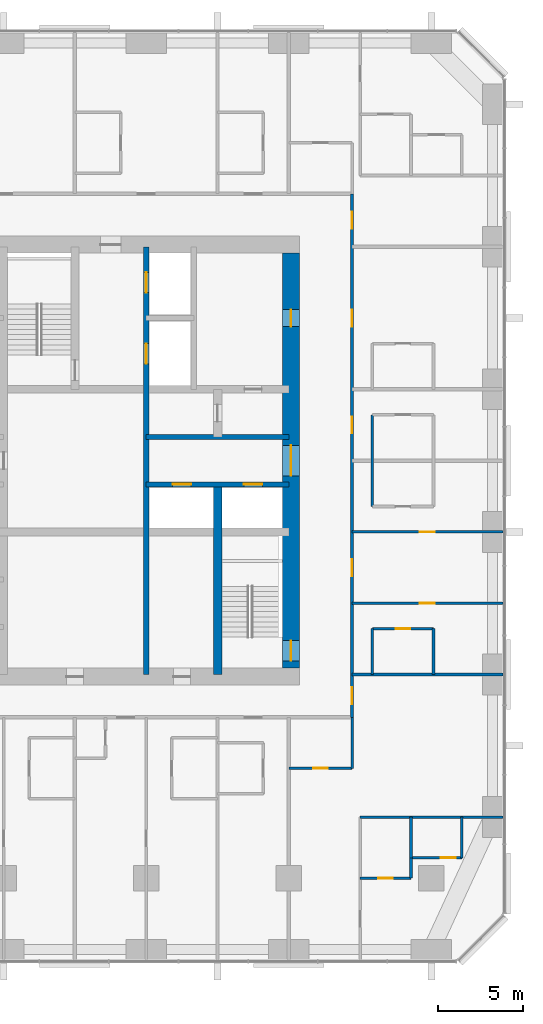
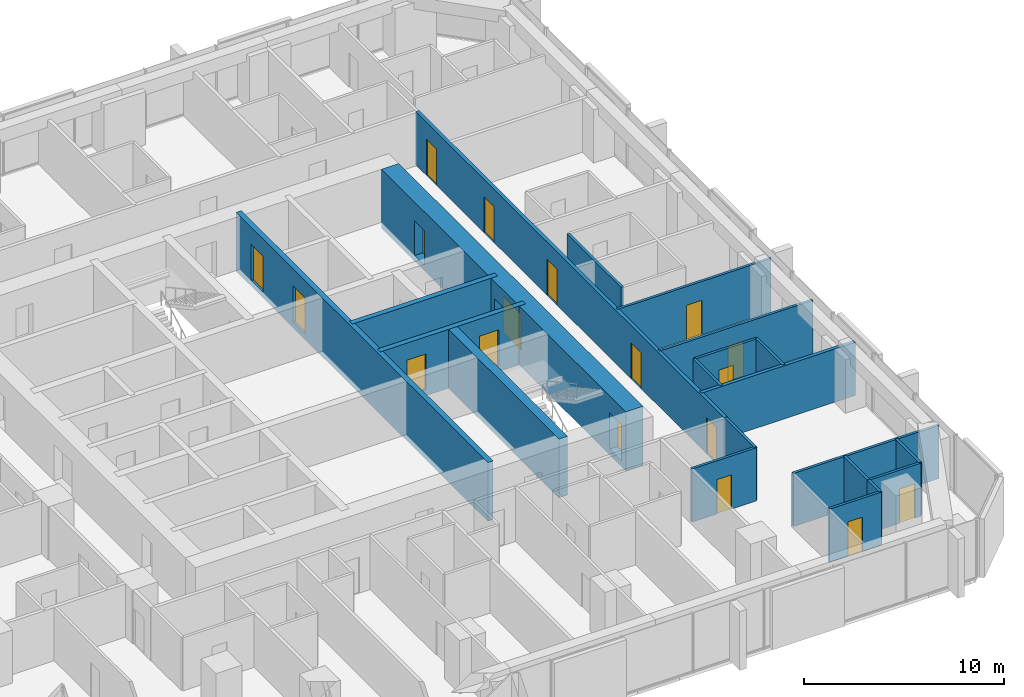
# One storey, part 10 of 14: 21 walls, 18 doors, 18 openings.
"""IFC4 building model written with IfcOpenShell, lengths in metres."""

from ifc_helpers import new_model, si_unit, direction, frame, frame_2d, origin, place, context, subcontext, project, spatial, rectangle, extrude, material, layer, layer_set, type_object, element, fill, save


model = new_model("IFC4")

# Units and contexts
model_context = context("Model", 3, precision=1e-05, world=origin(), true_north=direction((0.0, 1.0)))
body_context = subcontext(model_context, "Body", "Model", "MODEL_VIEW")
ifc_project = project(units=[si_unit("LENGTHUNIT", "METRE"), si_unit("AREAUNIT", "SQUARE_METRE"), si_unit("VOLUMEUNIT", "CUBIC_METRE"), si_unit("PLANEANGLEUNIT", "RADIAN"), si_unit("MASSUNIT", "GRAM", prefix="KILO")], contexts=[model_context])

# Site, building, storey
site_placement = place(None, origin())
site = spatial("IfcSite", under=ifc_project, at=site_placement, CompositionType="ELEMENT")
building_placement = place(site_placement, origin())
building = spatial("IfcBuilding", under=site, at=building_placement, Name="Dunama Terrace Hotel", CompositionType="ELEMENT")
storey_placement = place(building_placement, frame((0.0, 0.0, 136.800048828125)))
storey = spatial("IfcBuildingStorey", under=building, at=storey_placement, Name="L35", CompositionType="ELEMENT", Elevation=136.800048828125)

# Walls
ifc_material_1 = material(Name="Gypsum board partition", Category="masonry")
ifc_layer_1 = layer(ifc_material_1, 0.14990234375)
ifc_layer_set_1 = layer_set([ifc_layer_1], Name="Bathroom partition 150")
wall_type_1 = type_object("IfcWallType", Name="Bathroom partition 150", PredefinedType="PARTITIONING", material=ifc_layer_set_1)
wall_1_placement = place(storey_placement, frame((45.72509765625, 11.27490234375, 0.0), z_axis=(0.0, 0.0, 1.0), x_axis=(0.0, 1.0, 0.0)))
element("IfcWall", 1, at=wall_1_placement, inside=storey, type_object=wall_type_1, Name="Bathroom partition 150 L35", PredefinedType="PARTITIONING", context=body_context, shape_type="SweptSolid", body=[
    extrude(rectangle(XDim=3.0, YDim=0.14990234375, at=frame_2d((1.5, 0.0))), origin(), (0.0, 0.0, 1.0), 3.25),
])
wall_2_placement = place(storey_placement, frame((46.925048828125, 16.800048828125, 0.0), z_axis=(0.0, 0.0, 1.0), x_axis=(0.0, 1.0, 0.0)))
element("IfcWall", 2, at=wall_2_placement, inside=storey, type_object=wall_type_1, Name="Bathroom partition 150 L35", PredefinedType="PARTITIONING", context=body_context, shape_type="SweptSolid", body=[
    extrude(rectangle(XDim=2.699951171875, YDim=0.14990234375, at=frame_2d((1.35009765625, 0.0))), origin(), (0.0, 0.0, 1.0), 3.25),
])
wall_3_placement = place(storey_placement, frame((46.925048828125, 26.699951171875, 0.0), z_axis=(0.0, 0.0, 1.0), x_axis=(0.0, 1.0, 0.0)))
element("IfcWall", 3, at=wall_3_placement, inside=storey, type_object=wall_type_1, Name="Bathroom partition 150 L35", PredefinedType="PARTITIONING", context=body_context, shape_type="SweptSolid", body=[
    extrude(rectangle(XDim=5.400146484375, YDim=0.14990234375, at=frame_2d((2.7001953125, 0.0))), origin(), (0.0, 0.0, 1.0), 3.25),
])
wall_4_placement = place(storey_placement, frame((49.199951171875, 4.800048828125, 0.0), z_axis=(0.0, 0.0, 1.0), x_axis=(0.0, 1.0, 0.0)))
element("IfcWall", 4, at=wall_4_placement, inside=storey, type_object=wall_type_1, Name="Bathroom partition 150 L35", PredefinedType="PARTITIONING", context=body_context, shape_type="SweptSolid", body=[
    extrude(rectangle(XDim=1.199951171875, YDim=0.14990234375, at=frame_2d((0.60009765625, 0.0))), origin(), (0.0, 0.0, 1.0), 3.25),
])
wall_5_placement = place(storey_placement, frame((50.52490234375, 16.800048828125, 0.0), z_axis=(0.0, 0.0, 1.0), x_axis=(0.0, 1.0, 0.0)))
element("IfcWall", 5, at=wall_5_placement, inside=storey, type_object=wall_type_1, Name="Bathroom partition 150 L35", PredefinedType="PARTITIONING", context=body_context, shape_type="SweptSolid", body=[
    extrude(rectangle(XDim=2.699951171875, YDim=0.14990234375, at=frame_2d((1.35009765625, 0.0))), origin(), (0.0, 0.0, 1.0), 3.25),
])

# Wall, opening, door
wall_6_placement = place(storey_placement, frame((46.199951171875, 4.800048828125, 0.0), z_axis=(0.0, 0.0, 1.0), x_axis=(1.0, 0.0, 0.0)))
wall_6 = element("IfcWall", 6, at=wall_6_placement, inside=storey, type_object=wall_type_1, Name="Bathroom partition 150 L35", PredefinedType="PARTITIONING", context=body_context, shape_type="SweptSolid", body=[
    extrude(rectangle(XDim=3.0, YDim=0.14990234375, at=frame_2d((1.5, 0.0))), origin(), (0.0, 0.0, 1.0), 3.25),
])
opening_1_placement = place(wall_6_placement, frame((1.074951171875, 0.0, 0.0)))
opening_1 = element("IfcOpeningElement", 7, at=opening_1_placement, cuts=wall_6, Name="Opening L34-36-058", PredefinedType="OPENING", context=body_context, shape_type="SweptSolid", body=[
    extrude(rectangle(XDim=0.85009765625, YDim=2.10009765625, at=frame_2d((0.425048828125, 1.050048828125))), frame((0.0, 0.0849609375, 0.0), z_axis=(0.0, -1.0, 0.0), x_axis=(1.0, 0.0, 0.0)), (0.0, 0.0, 1.0), 0.169921875),
])
ifc_material_2 = material(Name="Timber door with steel frame", Category="steel")
door_type_1 = type_object("IfcDoorType", Name="Bathroom door 850", OperationType="SINGLE_SWING_LEFT", PredefinedType="DOOR", material=ifc_material_2)
door_1_placement = place(opening_1_placement, origin())
door_1 = element("IfcDoor", 8, at=door_1_placement, inside=storey, type_object=door_type_1, Name="Door to en-suite bathroom L34-36-058, type D2", OperationType="SINGLE_SWING_RIGHT", OverallHeight=2.10009765625, OverallWidth=0.85009765625, PredefinedType="DOOR", context=body_context, shape_type="SweptSolid", body=[
    extrude(rectangle(XDim=0.85009765625, YDim=2.10009765625, at=frame_2d((0.425048828125, 1.050048828125))), frame((0.0, 0.02490234375, 0.0), z_axis=(0.0, -1.0, 0.0), x_axis=(1.0, 0.0, 0.0)), (0.0, 0.0, 1.0), 0.050048828125),
])
fill(opening_1, door_1)

wall_7_placement = place(storey_placement, frame((42.0, 11.27490234375, 0.0), z_axis=(0.0, 0.0, 1.0), x_axis=(1.0, 0.0, 0.0)))
wall_7 = element("IfcWall", 9, at=wall_7_placement, inside=storey, type_object=wall_type_1, Name="Bathroom partition 150 L35", PredefinedType="PARTITIONING", context=body_context, shape_type="SweptSolid", body=[
    extrude(rectangle(XDim=3.72509765625, YDim=0.14990234375, at=frame_2d((1.862548828125, 0.0))), origin(), (0.0, 0.0, 1.0), 3.25),
])
opening_2_placement = place(wall_7_placement, frame((1.43798828125, 0.0, 0.0)))
opening_2 = element("IfcOpeningElement", 10, at=opening_2_placement, cuts=wall_7, Name="Opening L34-36-056", PredefinedType="OPENING", context=body_context, shape_type="SweptSolid", body=[
    extrude(rectangle(XDim=0.85009765625, YDim=2.10009765625, at=frame_2d((0.425048828125, 1.050048828125))), frame((0.0, 0.0849609375, 0.0), z_axis=(0.0, -1.0, 0.0), x_axis=(1.0, 0.0, 0.0)), (0.0, 0.0, 1.0), 0.169921875),
])
door_2_placement = place(opening_2_placement, origin())
door_2 = element("IfcDoor", 11, at=door_2_placement, inside=storey, type_object=door_type_1, Name="Door to powder room L34-36-056, type D2", OperationType="SINGLE_SWING_LEFT", OverallHeight=2.10009765625, OverallWidth=0.85009765625, PredefinedType="DOOR", context=body_context, shape_type="SweptSolid", body=[
    extrude(rectangle(XDim=0.85009765625, YDim=2.10009765625, at=frame_2d((0.425048828125, 1.050048828125))), frame((0.0, 0.02490234375, 0.0), z_axis=(0.0, -1.0, 0.0), x_axis=(1.0, 0.0, 0.0)), (0.0, 0.0, 1.0), 0.050048828125),
])
fill(opening_2, door_2)

wall_8_placement = place(storey_placement, frame((46.925048828125, 19.5, 0.0), z_axis=(0.0, 0.0, 1.0), x_axis=(1.0, 0.0, 0.0)))
wall_8 = element("IfcWall", 12, at=wall_8_placement, inside=storey, type_object=wall_type_1, Name="Bathroom partition 150 L35", PredefinedType="PARTITIONING", context=body_context, shape_type="SweptSolid", body=[
    extrude(rectangle(XDim=3.599853515625, YDim=0.14990234375, at=frame_2d((1.7998046875, 0.0))), origin(), (0.0, 0.0, 1.0), 3.25),
])
opening_3_placement = place(wall_8_placement, frame((1.375, 0.0, 0.0)))
opening_3 = element("IfcOpeningElement", 13, at=opening_3_placement, cuts=wall_8, Name="Opening L34-36-025", PredefinedType="OPENING", context=body_context, shape_type="SweptSolid", body=[
    extrude(rectangle(XDim=0.85009765625, YDim=2.10009765625, at=frame_2d((0.425048828125, 1.050048828125))), frame((0.0, 0.0849609375, 0.0), z_axis=(0.0, -1.0, 0.0), x_axis=(1.0, 0.0, 0.0)), (0.0, 0.0, 1.0), 0.169921875),
])
door_3_placement = place(opening_3_placement, frame((0.85009765625, 0.0, 0.0), z_axis=(0.0, 0.0, 1.0), x_axis=(-1.0, 0.0, 0.0)))
door_3 = element("IfcDoor", 14, at=door_3_placement, inside=storey, type_object=door_type_1, Name="Door to en-suite bathroom L34-36-025, type D2", OperationType="SINGLE_SWING_RIGHT", OverallHeight=2.10009765625, OverallWidth=0.85009765625, PredefinedType="DOOR", context=body_context, shape_type="SweptSolid", body=[
    extrude(rectangle(XDim=0.85009765625, YDim=2.10009765625, at=frame_2d((0.425048828125, 1.050048828125))), frame((0.0, 0.025146484375, 0.0), z_axis=(0.0, -1.0, 0.0), x_axis=(1.0, 0.0, 0.0)), (0.0, 0.0, 1.0), 0.050048828125),
])
fill(opening_3, door_3)

# Wall, openings, doors
ifc_material_3 = material(Name="Concrete C50/60", Category="concrete")
ifc_layer_2 = layer(ifc_material_3, 0.300048828125)
ifc_layer_set_2 = layer_set([ifc_layer_2], Name="Core inner wall 300")
wall_type_2 = type_object("IfcWallType", Name="Core inner wall 300", PredefinedType="SHEAR", material=ifc_layer_set_2)
wall_9_placement = place(storey_placement, frame((33.60009765625, 16.800048828125, -0.35009765625), z_axis=(0.0, 0.0, 1.0), x_axis=(0.0, 1.0, 0.0)))
wall_9 = element("IfcWall", 15, at=wall_9_placement, inside=storey, type_object=wall_type_2, Name="Core inner wall 300 L35", PredefinedType="SHEAR", context=body_context, shape_type="SweptSolid", body=[
    extrude(rectangle(XDim=25.199951171875, YDim=0.300048828125, at=frame_2d((12.60009765625, 0.0))), origin(), (0.0, 0.0, 1.0), 3.60009765625),
])
opening_4_placement = place(wall_9_placement, frame((22.5, 0.0, 0.35009765625)))
opening_4 = element("IfcOpeningElement", 16, at=opening_4_placement, cuts=wall_9, Name="Opening L34-36-009", PredefinedType="OPENING", context=body_context, shape_type="SweptSolid", body=[
    extrude(rectangle(XDim=1.199951171875, YDim=2.199951171875, at=frame_2d((0.60009765625, 1.10009765625))), frame((0.0, 0.159912109375, 0.0), z_axis=(0.0, -1.0, 0.0), x_axis=(1.0, 0.0, 0.0)), (0.0, 0.0, 1.0), 0.320068359375),
])
opening_5_placement = place(wall_9_placement, frame((18.300048828125, 0.0, 0.35009765625)))
opening_5 = element("IfcOpeningElement", 17, at=opening_5_placement, cuts=wall_9, Name="Opening L34-36-010", PredefinedType="OPENING", context=body_context, shape_type="SweptSolid", body=[
    extrude(rectangle(XDim=1.199951171875, YDim=2.199951171875, at=frame_2d((0.60009765625, 1.10009765625))), frame((0.0, 0.159912109375, 0.0), z_axis=(0.0, -1.0, 0.0), x_axis=(1.0, 0.0, 0.0)), (0.0, 0.0, 1.0), 0.320068359375),
])
ifc_material_4 = material(Name="Stainless steel lift door", Category="steel")
door_type_2 = type_object("IfcDoorType", Name="Firefighting lift landing door 1200", OperationType="DOUBLE_DOOR_SLIDING", PredefinedType="DOOR", material=ifc_material_4)
door_4_placement = place(opening_4_placement, origin())
door_4 = element("IfcDoor", 18, at=door_4_placement, inside=storey, type_object=door_type_2, Name="Landing door FL1 L34-36-009, type LD2", OperationType="DOUBLE_DOOR_SLIDING", OverallHeight=2.199951171875, OverallWidth=1.199951171875, PredefinedType="DOOR", context=body_context, shape_type="SweptSolid", body=[
    extrude(rectangle(XDim=1.199951171875, YDim=2.199951171875, at=frame_2d((0.60009765625, 1.10009765625))), frame((0.0, 0.02490234375, 0.0), z_axis=(0.0, -1.0, 0.0), x_axis=(1.0, 0.0, 0.0)), (0.0, 0.0, 1.0), 0.050048828125),
])
fill(opening_4, door_4)
door_5_placement = place(opening_5_placement, origin())
door_5 = element("IfcDoor", 19, at=door_5_placement, inside=storey, type_object=door_type_2, Name="Landing door FL2 L34-36-010, type LD2", OperationType="DOUBLE_DOOR_SLIDING", OverallHeight=2.199951171875, OverallWidth=1.199951171875, PredefinedType="DOOR", context=body_context, shape_type="SweptSolid", body=[
    extrude(rectangle(XDim=1.199951171875, YDim=2.199951171875, at=frame_2d((0.60009765625, 1.10009765625))), frame((0.0, 0.02490234375, 0.0), z_axis=(0.0, -1.0, 0.0), x_axis=(1.0, 0.0, 0.0)), (0.0, 0.0, 1.0), 0.050048828125),
])
fill(opening_5, door_5)

wall_10_placement = place(storey_placement, frame((33.60009765625, 28.0, -0.35009765625), z_axis=(0.0, 0.0, 1.0), x_axis=(1.0, 0.0, 0.0)))
wall_10 = element("IfcWall", 20, at=wall_10_placement, inside=storey, type_object=wall_type_2, Name="Core inner wall 300 L35", PredefinedType="SHEAR", context=body_context, shape_type="SweptSolid", body=[
    extrude(rectangle(XDim=8.39990234375, YDim=0.300048828125, at=frame_2d((4.199951171875, 0.0))), origin(), (0.0, 0.0, 1.0), 3.60009765625),
])
opening_6_placement = place(wall_10_placement, frame((1.550048828125, 0.0, 0.35009765625)))
opening_6 = element("IfcOpeningElement", 21, at=opening_6_placement, cuts=wall_10, Name="Opening L34-36-003", PredefinedType="OPENING", context=body_context, shape_type="SweptSolid", body=[
    extrude(rectangle(XDim=1.10009765625, YDim=2.199951171875, at=frame_2d((0.550048828125, 1.10009765625))), frame((0.0, 0.159912109375, 0.0), z_axis=(0.0, -1.0, 0.0), x_axis=(1.0, 0.0, 0.0)), (0.0, 0.0, 1.0), 0.320068359375),
])
opening_7_placement = place(wall_10_placement, frame((5.75, 0.0, 0.35009765625)))
opening_7 = element("IfcOpeningElement", 22, at=opening_7_placement, cuts=wall_10, Name="Opening L34-36-004", PredefinedType="OPENING", context=body_context, shape_type="SweptSolid", body=[
    extrude(rectangle(XDim=1.10009765625, YDim=2.199951171875, at=frame_2d((0.550048828125, 1.10009765625))), frame((0.0, 0.159912109375, 0.0), z_axis=(0.0, -1.0, 0.0), x_axis=(1.0, 0.0, 0.0)), (0.0, 0.0, 1.0), 0.320068359375),
])
ifc_material_5 = material(Name="Stainless steel lift door", Category="steel")
door_type_3 = type_object("IfcDoorType", Name="Lift landing door 1100", OperationType="DOUBLE_DOOR_SLIDING", PredefinedType="DOOR", material=ifc_material_5)
door_6_placement = place(opening_6_placement, origin())
door_6 = element("IfcDoor", 23, at=door_6_placement, inside=storey, type_object=door_type_3, Name="Landing door PB1 L34-36-003, type LD1", OperationType="DOUBLE_DOOR_SLIDING", OverallHeight=2.199951171875, OverallWidth=1.10009765625, PredefinedType="DOOR", context=body_context, shape_type="SweptSolid", body=[
    extrude(rectangle(XDim=1.10009765625, YDim=2.199951171875, at=frame_2d((0.550048828125, 1.10009765625))), frame((0.0, 0.02490234375, 0.0), z_axis=(0.0, -1.0, 0.0), x_axis=(1.0, 0.0, 0.0)), (0.0, 0.0, 1.0), 0.050048828125),
])
fill(opening_6, door_6)
door_7_placement = place(opening_7_placement, origin())
door_7 = element("IfcDoor", 24, at=door_7_placement, inside=storey, type_object=door_type_3, Name="Landing door PB2 L34-36-004, type LD1", OperationType="DOUBLE_DOOR_SLIDING", OverallHeight=2.199951171875, OverallWidth=1.10009765625, PredefinedType="DOOR", context=body_context, shape_type="SweptSolid", body=[
    extrude(rectangle(XDim=1.10009765625, YDim=2.199951171875, at=frame_2d((0.550048828125, 1.10009765625))), frame((0.0, 0.02490234375, 0.0), z_axis=(0.0, -1.0, 0.0), x_axis=(1.0, 0.0, 0.0)), (0.0, 0.0, 1.0), 0.050048828125),
])
fill(opening_7, door_7)

# Walls
wall_11_placement = place(storey_placement, frame((33.60009765625, 30.800048828125, -0.35009765625), z_axis=(0.0, 0.0, 1.0), x_axis=(1.0, 0.0, 0.0)))
element("IfcWall", 25, at=wall_11_placement, inside=storey, type_object=wall_type_2, Name="Core inner wall 300 L35", PredefinedType="SHEAR", context=body_context, shape_type="SweptSolid", body=[
    extrude(rectangle(XDim=8.39990234375, YDim=0.300048828125, at=frame_2d((4.199951171875, 0.0))), origin(), (0.0, 0.0, 1.0), 3.60009765625),
])
ifc_material_6 = material(Name="Concrete C50/60", Category="concrete")
ifc_layer_3 = layer(ifc_material_6, 0.5)
ifc_layer_set_3 = layer_set([ifc_layer_3], Name="Core inner wall 500")
wall_type_3 = type_object("IfcWallType", Name="Core inner wall 500", PredefinedType="SHEAR", material=ifc_layer_set_3)
wall_12_placement = place(storey_placement, frame((37.800048828125, 16.800048828125, -0.35009765625), z_axis=(0.0, 0.0, 1.0), x_axis=(0.0, 1.0, 0.0)))
element("IfcWall", 26, at=wall_12_placement, inside=storey, type_object=wall_type_3, Name="Core inner wall 500 L35", PredefinedType="SHEAR", context=body_context, shape_type="SweptSolid", body=[
    extrude(rectangle(XDim=11.199951171875, YDim=0.5, at=frame_2d((5.60009765625, 0.0))), origin(), (0.0, 0.0, 1.0), 3.60009765625),
])

# Wall, openings, doors
ifc_material_7 = material(Name="Concrete C60/75", Category="concrete")
ifc_layer_4 = layer(ifc_material_7, 1.0)
ifc_layer_set_4 = layer_set([ifc_layer_4], Name="Core wall 1000")
wall_type_4 = type_object("IfcWallType", Name="Core wall 1000", PredefinedType="SHEAR", material=ifc_layer_set_4)
wall_13_placement = place(storey_placement, frame((42.125, 17.175048828125, -0.35009765625), z_axis=(0.0, 0.0, 1.0), x_axis=(0.0, 1.0, 0.0)))
wall_13 = element("IfcWall", 27, at=wall_13_placement, inside=storey, type_object=wall_type_4, Name="Core wall east L35", PredefinedType="SHEAR", context=body_context, shape_type="SweptSolid", body=[
    extrude(rectangle(XDim=24.449951171875, YDim=1.0, at=frame_2d((12.22509765625, 0.0))), origin(), (0.0, 0.0, 1.0), 3.60009765625),
])
opening_8_placement = place(wall_13_placement, frame((0.425048828125, 0.0, 0.35009765625)))
opening_8 = element("IfcOpeningElement", 28, at=opening_8_placement, cuts=wall_13, Name="Opening L34-36-002", PredefinedType="OPENING", context=body_context, shape_type="SweptSolid", body=[
    extrude(rectangle(XDim=1.199951171875, YDim=2.199951171875, at=frame_2d((0.60009765625, 1.10009765625))), frame((0.0, 0.510009765625, 0.0), z_axis=(0.0, -1.0, 0.0), x_axis=(1.0, 0.0, 0.0)), (0.0, 0.0, 1.0), 1.02001953125),
])
opening_9_placement = place(wall_13_placement, frame((11.324951171875, 0.0, 0.35009765625)))
opening_9 = element("IfcOpeningElement", 29, at=opening_9_placement, cuts=wall_13, Name="Opening L34-36-077", PredefinedType="OPENING", context=body_context, shape_type="SweptSolid", body=[
    extrude(rectangle(XDim=1.800048828125, YDim=2.199951171875, at=frame_2d((0.89990234375, 1.10009765625))), frame((0.0, 0.510009765625, 0.0), z_axis=(0.0, -1.0, 0.0), x_axis=(1.0, 0.0, 0.0)), (0.0, 0.0, 1.0), 1.02001953125),
])
opening_10_placement = place(wall_13_placement, frame((20.125, 0.0, 0.35009765625)))
opening_10 = element("IfcOpeningElement", 30, at=opening_10_placement, cuts=wall_13, Name="Opening L34-36-079", PredefinedType="OPENING", context=body_context, shape_type="SweptSolid", body=[
    extrude(rectangle(XDim=1.0, YDim=2.10009765625, at=frame_2d((0.5, 1.050048828125))), frame((0.0, 0.510009765625, 0.0), z_axis=(0.0, -1.0, 0.0), x_axis=(1.0, 0.0, 0.0)), (0.0, 0.0, 1.0), 1.02001953125),
])
ifc_material_8 = material(Name="Timber door with steel frame", Category="steel")
door_type_4 = type_object("IfcDoorType", Name="Lift lobby double door 1800", OperationType="DOUBLE_DOOR_DOUBLE_SWING", PredefinedType="DOOR", material=ifc_material_8)
door_8_placement = place(opening_9_placement, origin())
door_8 = element("IfcDoor", 31, at=door_8_placement, inside=storey, type_object=door_type_4, Name="Door to lift lobby L34-36-077, type D3", OperationType="DOUBLE_DOOR_DOUBLE_SWING", OverallHeight=2.199951171875, OverallWidth=1.800048828125, PredefinedType="DOOR", context=body_context, shape_type="SweptSolid", body=[
    extrude(rectangle(XDim=1.800048828125, YDim=2.199951171875, at=frame_2d((0.89990234375, 1.10009765625))), frame((0.0, 0.02490234375, 0.0), z_axis=(0.0, -1.0, 0.0), x_axis=(1.0, 0.0, 0.0)), (0.0, 0.0, 1.0), 0.050048828125),
])
fill(opening_9, door_8)
ifc_material_9 = material(Name="Timber door with steel frame", Category="steel")
door_type_5 = type_object("IfcDoorType", Name="Service door 1000", OperationType="SINGLE_SWING_LEFT", PredefinedType="DOOR", material=ifc_material_9)
door_9_placement = place(opening_10_placement, origin())
door_9 = element("IfcDoor", 32, at=door_9_placement, inside=storey, type_object=door_type_5, Name="Door to ice and vending room L34-36-079, type D7", OperationType="SINGLE_SWING_RIGHT", OverallHeight=2.10009765625, OverallWidth=1.0, PredefinedType="DOOR", context=body_context, shape_type="SweptSolid", body=[
    extrude(rectangle(XDim=1.0, YDim=2.10009765625, at=frame_2d((0.5, 1.050048828125))), frame((0.0, 0.02490234375, 0.0), z_axis=(0.0, -1.0, 0.0), x_axis=(1.0, 0.0, 0.0)), (0.0, 0.0, 1.0), 0.050048828125),
])
fill(opening_10, door_9)
ifc_material_10 = material(Name="Timber door with steel frame", Category="steel")
door_type_6 = type_object("IfcDoorType", Name="Stair door 1200", OperationType="SINGLE_SWING_LEFT", PredefinedType="DOOR", material=ifc_material_10)
door_10_placement = place(opening_8_placement, origin())
door_10 = element("IfcDoor", 33, at=door_10_placement, inside=storey, type_object=door_type_6, Name="Stair door ST2 L34-36-002, type D5", OperationType="SINGLE_SWING_LEFT", OverallHeight=2.199951171875, OverallWidth=1.199951171875, PredefinedType="DOOR", context=body_context, shape_type="SweptSolid", body=[
    extrude(rectangle(XDim=1.199951171875, YDim=2.199951171875, at=frame_2d((0.60009765625, 1.10009765625))), frame((0.0, 0.02490234375, 0.0), z_axis=(0.0, -1.0, 0.0), x_axis=(1.0, 0.0, 0.0)), (0.0, 0.0, 1.0), 0.050048828125),
])
fill(opening_8, door_10)

ifc_material_11 = material(Name="Concrete blockwork", Category="masonry")
ifc_layer_5 = layer(ifc_material_11, 0.199951171875)
ifc_layer_set_5 = layer_set([ifc_layer_5], Name="Corridor partition 200")
wall_type_5 = type_object("IfcWallType", Name="Corridor partition 200", PredefinedType="PARTITIONING", material=ifc_layer_set_5)
wall_14_placement = place(storey_placement, frame((45.72509765625, 45.125, 0.0), z_axis=(0.0, 0.0, 1.0), x_axis=(0.0, -1.0, 0.0)))
wall_14 = element("IfcWall", 34, at=wall_14_placement, inside=storey, type_object=wall_type_5, Name="Corridor partition 200 L35", PredefinedType="PARTITIONING", context=body_context, shape_type="SweptSolid", body=[
    extrude(rectangle(XDim=30.85009765625, YDim=0.199951171875, at=frame_2d((15.425048828125, 0.0))), origin(), (0.0, 0.0, 1.0), 3.25),
])
opening_11_placement = place(wall_14_placement, frame((21.52490234375, 0.0, 0.0)))
opening_11 = element("IfcOpeningElement", 35, at=opening_11_placement, cuts=wall_14, Name="Opening L34-36-023", PredefinedType="OPENING", context=body_context, shape_type="SweptSolid", body=[
    extrude(rectangle(XDim=1.0, YDim=2.199951171875, at=frame_2d((0.5, 1.10009765625))), frame((0.0, 0.10986328125, 0.0), z_axis=(0.0, -1.0, 0.0), x_axis=(1.0, 0.0, 0.0)), (0.0, 0.0, 1.0), 0.219970703125),
])
opening_12_placement = place(wall_14_placement, frame((13.125, 0.0, 0.0)))
opening_12 = element("IfcOpeningElement", 36, at=opening_12_placement, cuts=wall_14, Name="Opening L34-36-028", PredefinedType="OPENING", context=body_context, shape_type="SweptSolid", body=[
    extrude(rectangle(XDim=1.0, YDim=2.199951171875, at=frame_2d((0.5, 1.10009765625))), frame((0.0, 0.10986328125, 0.0), z_axis=(0.0, -1.0, 0.0), x_axis=(1.0, 0.0, 0.0)), (0.0, 0.0, 1.0), 0.219970703125),
])
opening_13_placement = place(wall_14_placement, frame((6.824951171875, 0.0, 0.0)))
opening_13 = element("IfcOpeningElement", 37, at=opening_13_placement, cuts=wall_14, Name="Opening L34-36-030", PredefinedType="OPENING", context=body_context, shape_type="SweptSolid", body=[
    extrude(rectangle(XDim=1.0, YDim=2.199951171875, at=frame_2d((0.5, 1.10009765625))), frame((0.0, 0.10986328125, 0.0), z_axis=(0.0, -1.0, 0.0), x_axis=(1.0, 0.0, 0.0)), (0.0, 0.0, 1.0), 0.219970703125),
])
opening_14_placement = place(wall_14_placement, frame((29.0869140625, 0.0, 0.0)))
opening_14 = element("IfcOpeningElement", 38, at=opening_14_placement, cuts=wall_14, Name="Opening L34-36-055", PredefinedType="OPENING", context=body_context, shape_type="SweptSolid", body=[
    extrude(rectangle(XDim=1.0, YDim=2.199951171875, at=frame_2d((0.5, 1.10009765625))), frame((0.0, 0.10986328125, 0.0), z_axis=(0.0, -1.0, 0.0), x_axis=(1.0, 0.0, 0.0)), (0.0, 0.0, 1.0), 0.219970703125),
])
opening_15_placement = place(wall_14_placement, frame((1.06298828125, 0.0, 0.0)))
opening_15 = element("IfcOpeningElement", 39, at=opening_15_placement, cuts=wall_14, Name="Opening L34-36-060", PredefinedType="OPENING", context=body_context, shape_type="SweptSolid", body=[
    extrude(rectangle(XDim=1.0, YDim=2.199951171875, at=frame_2d((0.5, 1.10009765625))), frame((0.0, 0.10986328125, 0.0), z_axis=(0.0, -1.0, 0.0), x_axis=(1.0, 0.0, 0.0)), (0.0, 0.0, 1.0), 0.219970703125),
])
ifc_material_12 = material(Name="Timber door with steel frame", Category="steel")
door_type_7 = type_object("IfcDoorType", Name="Guest room door 1000", OperationType="SINGLE_SWING_LEFT", PredefinedType="DOOR", material=ifc_material_12)
door_11_placement = place(opening_11_placement, origin())
door_11 = element("IfcDoor", 40, at=door_11_placement, inside=storey, type_object=door_type_7, Name="Door to family suite living room L34-36-023, type D1", OperationType="SINGLE_SWING_LEFT", OverallHeight=2.199951171875, OverallWidth=1.0, PredefinedType="DOOR", context=body_context, shape_type="SweptSolid", body=[
    extrude(rectangle(XDim=1.0, YDim=2.199951171875, at=frame_2d((0.5, 1.10009765625))), frame((0.0, 0.02490234375, 0.0), z_axis=(0.0, -1.0, 0.0), x_axis=(1.0, 0.0, 0.0)), (0.0, 0.0, 1.0), 0.050048828125),
])
fill(opening_11, door_11)
door_12_placement = place(opening_12_placement, origin())
door_12 = element("IfcDoor", 41, at=door_12_placement, inside=storey, type_object=door_type_7, Name="Door to premier room L34-36-028, type D1", OperationType="SINGLE_SWING_LEFT", OverallHeight=2.199951171875, OverallWidth=1.0, PredefinedType="DOOR", context=body_context, shape_type="SweptSolid", body=[
    extrude(rectangle(XDim=1.0, YDim=2.199951171875, at=frame_2d((0.5, 1.10009765625))), frame((0.0, 0.02490234375, 0.0), z_axis=(0.0, -1.0, 0.0), x_axis=(1.0, 0.0, 0.0)), (0.0, 0.0, 1.0), 0.050048828125),
])
fill(opening_12, door_12)
door_13_placement = place(opening_13_placement, origin())
door_13 = element("IfcDoor", 42, at=door_13_placement, inside=storey, type_object=door_type_7, Name="Door to junior suite L34-36-030, type D1", OperationType="SINGLE_SWING_RIGHT", OverallHeight=2.199951171875, OverallWidth=1.0, PredefinedType="DOOR", context=body_context, shape_type="SweptSolid", body=[
    extrude(rectangle(XDim=1.0, YDim=2.199951171875, at=frame_2d((0.5, 1.10009765625))), frame((0.0, 0.02490234375, 0.0), z_axis=(0.0, -1.0, 0.0), x_axis=(1.0, 0.0, 0.0)), (0.0, 0.0, 1.0), 0.050048828125),
])
fill(opening_13, door_13)
door_14_placement = place(opening_14_placement, origin())
door_14 = element("IfcDoor", 43, at=door_14_placement, inside=storey, type_object=door_type_7, Name="Door to corner suite living room L34-36-055, type D1", OperationType="SINGLE_SWING_LEFT", OverallHeight=2.199951171875, OverallWidth=1.0, PredefinedType="DOOR", context=body_context, shape_type="SweptSolid", body=[
    extrude(rectangle(XDim=1.0, YDim=2.199951171875, at=frame_2d((0.5, 1.10009765625))), frame((0.0, 0.02490234375, 0.0), z_axis=(0.0, -1.0, 0.0), x_axis=(1.0, 0.0, 0.0)), (0.0, 0.0, 1.0), 0.050048828125),
])
fill(opening_14, door_14)
door_15_placement = place(opening_15_placement, origin())
door_15 = element("IfcDoor", 44, at=door_15_placement, inside=storey, type_object=door_type_7, Name="Door to corner suite living room L34-36-060, type D1", OperationType="SINGLE_SWING_RIGHT", OverallHeight=2.199951171875, OverallWidth=1.0, PredefinedType="DOOR", context=body_context, shape_type="SweptSolid", body=[
    extrude(rectangle(XDim=1.0, YDim=2.199951171875, at=frame_2d((0.5, 1.10009765625))), frame((0.0, 0.02490234375, 0.0), z_axis=(0.0, -1.0, 0.0), x_axis=(1.0, 0.0, 0.0)), (0.0, 0.0, 1.0), 0.050048828125),
])
fill(opening_15, door_15)

# Walls
ifc_material_13 = material(Name="Concrete blockwork", Category="masonry")
ifc_layer_6 = layer(ifc_material_13, 0.199951171875)
ifc_layer_set_6 = layer_set([ifc_layer_6], Name="Party wall 200")
wall_type_6 = type_object("IfcWallType", Name="Party wall 200", PredefinedType="PARTITIONING", material=ifc_layer_set_6)
wall_15_placement = place(storey_placement, frame((45.72509765625, 16.800048828125, 0.0), z_axis=(0.0, 0.0, 1.0), x_axis=(1.0, 0.0, 0.0)))
element("IfcWall", 45, at=wall_15_placement, inside=storey, type_object=wall_type_6, Name="Party wall 200 L35", PredefinedType="PARTITIONING", context=body_context, shape_type="SweptSolid", body=[
    extrude(rectangle(XDim=8.892822265625, YDim=0.199951171875, at=frame_2d((4.4462890625, 0.0))), origin(), (0.0, 0.0, 1.0), 3.25),
])
ifc_material_14 = material(Name="Gypsum board partition", Category="masonry")
ifc_layer_7 = layer(ifc_material_14, 0.14990234375)
ifc_layer_set_7 = layer_set([ifc_layer_7], Name="Room partition 150")
wall_type_7 = type_object("IfcWallType", Name="Room partition 150", PredefinedType="PARTITIONING", material=ifc_layer_set_7)
for number, where, z_axis, x_axis, name in (
    (46, (49.199951171875, 6.0, 0.0), (0.0, 0.0, 1.0), (0.0, 1.0, 0.0), "Room partition 150 L35"),
    (47, (52.199951171875, 6.0, 0.0), (0.0, 0.0, 1.0), (0.0, 1.0, 0.0), "Room partition 150 L35"),
):
    element("IfcWall", number, at=place(storey_placement, frame(where, z_axis=z_axis, x_axis=x_axis)), inside=storey, type_object=wall_type_7, Name=name, PredefinedType="PARTITIONING", context=body_context, shape_type="SweptSolid", body=[
        extrude(rectangle(XDim=2.39990234375, YDim=0.14990234375, at=frame_2d((1.199951171875, 0.0))), origin(), (0.0, 0.0, 1.0), 3.25),
    ])

# Wall, opening, door
wall_16_placement = place(storey_placement, frame((49.199951171875, 6.0, 0.0), z_axis=(0.0, 0.0, 1.0), x_axis=(1.0, 0.0, 0.0)))
wall_16 = element("IfcWall", 48, at=wall_16_placement, inside=storey, type_object=wall_type_7, Name="Room partition 150 L35", PredefinedType="PARTITIONING", context=body_context, shape_type="SweptSolid", body=[
    extrude(rectangle(XDim=3.0, YDim=0.14990234375, at=frame_2d((1.5, 0.0))), origin(), (0.0, 0.0, 1.0), 3.25),
])
opening_16_placement = place(wall_16_placement, frame((1.75, 0.0, 0.0)))
opening_16 = element("IfcOpeningElement", 49, at=opening_16_placement, cuts=wall_16, Name="Opening L34-36-059", PredefinedType="OPENING", context=body_context, shape_type="SweptSolid", body=[
    extrude(rectangle(XDim=0.89990234375, YDim=2.10009765625, at=frame_2d((0.449951171875, 1.050048828125))), frame((0.0, 0.0849609375, 0.0), z_axis=(0.0, -1.0, 0.0), x_axis=(1.0, 0.0, 0.0)), (0.0, 0.0, 1.0), 0.169921875),
])
ifc_material_15 = material(Name="Timber door with steel frame", Category="steel")
door_type_8 = type_object("IfcDoorType", Name="Suite internal door 900", OperationType="SINGLE_SWING_LEFT", PredefinedType="DOOR", material=ifc_material_15)
door_16_placement = place(opening_16_placement, origin())
door_16 = element("IfcDoor", 50, at=door_16_placement, inside=storey, type_object=door_type_8, Name="Door to dressing room L34-36-059, type D16", OperationType="SINGLE_SWING_RIGHT", OverallHeight=2.10009765625, OverallWidth=0.89990234375, PredefinedType="DOOR", context=body_context, shape_type="SweptSolid", body=[
    extrude(rectangle(XDim=0.89990234375, YDim=2.10009765625, at=frame_2d((0.449951171875, 1.050048828125))), frame((0.0, 0.02490234375, 0.0), z_axis=(0.0, -1.0, 0.0), x_axis=(1.0, 0.0, 0.0)), (0.0, 0.0, 1.0), 0.050048828125),
])
fill(opening_16, door_16)

# Wall
wall_17_placement = place(storey_placement, frame((46.199951171875, 8.39990234375, 0.0), z_axis=(0.0, 0.0, 1.0), x_axis=(1.0, 0.0, 0.0)))
element("IfcWall", 51, at=wall_17_placement, inside=storey, type_object=wall_type_7, Name="Room partition 150 L35", PredefinedType="PARTITIONING", context=body_context, shape_type="SweptSolid", body=[
    extrude(rectangle(XDim=8.41796875, YDim=0.14990234375, at=frame_2d((4.208984375, 0.0))), origin(), (0.0, 0.0, 1.0), 3.25),
])

# Wall, opening, door
wall_18_placement = place(storey_placement, frame((45.72509765625, 21.0, 0.0), z_axis=(0.0, 0.0, 1.0), x_axis=(1.0, 0.0, 0.0)))
wall_18 = element("IfcWall", 52, at=wall_18_placement, inside=storey, type_object=wall_type_7, Name="Room partition 150 L35", PredefinedType="PARTITIONING", context=body_context, shape_type="SweptSolid", body=[
    extrude(rectangle(XDim=8.892822265625, YDim=0.14990234375, at=frame_2d((4.4462890625, 0.0))), origin(), (0.0, 0.0, 1.0), 3.25),
])
opening_17_placement = place(wall_18_placement, frame((3.987060546875, 0.0, 0.0)))
opening_17 = element("IfcOpeningElement", 53, at=opening_17_placement, cuts=wall_18, Name="Opening L34-36-024", PredefinedType="OPENING", context=body_context, shape_type="SweptSolid", body=[
    extrude(rectangle(XDim=0.89990234375, YDim=2.10009765625, at=frame_2d((0.449951171875, 1.050048828125))), frame((0.0, 0.0849609375, 0.0), z_axis=(0.0, -1.0, 0.0), x_axis=(1.0, 0.0, 0.0)), (0.0, 0.0, 1.0), 0.169921875),
])
door_17_placement = place(opening_17_placement, frame((0.89990234375, 0.0, 0.0), z_axis=(0.0, 0.0, 1.0), x_axis=(-1.0, 0.0, 0.0)))
door_17 = element("IfcDoor", 54, at=door_17_placement, inside=storey, type_object=door_type_8, Name="Door to family suite bedroom L34-36-024, type D16", OperationType="SINGLE_SWING_RIGHT", OverallHeight=2.10009765625, OverallWidth=0.89990234375, PredefinedType="DOOR", context=body_context, shape_type="SweptSolid", body=[
    extrude(rectangle(XDim=0.89990234375, YDim=2.10009765625, at=frame_2d((0.449951171875, 1.050048828125))), frame((0.0, 0.025146484375, 0.0), z_axis=(0.0, -1.0, 0.0), x_axis=(1.0, 0.0, 0.0)), (0.0, 0.0, 1.0), 0.050048828125),
])
fill(opening_17, door_17)

wall_19_placement = place(storey_placement, frame((45.72509765625, 25.199951171875, 0.0), z_axis=(0.0, 0.0, 1.0), x_axis=(1.0, 0.0, 0.0)))
wall_19 = element("IfcWall", 55, at=wall_19_placement, inside=storey, type_object=wall_type_7, Name="Room partition 150 L35", PredefinedType="PARTITIONING", context=body_context, shape_type="SweptSolid", body=[
    extrude(rectangle(XDim=8.892822265625, YDim=0.14990234375, at=frame_2d((4.4462890625, 0.0))), origin(), (0.0, 0.0, 1.0), 3.25),
])
opening_18_placement = place(wall_19_placement, frame((3.987060546875, 0.0, 0.0)))
opening_18 = element("IfcOpeningElement", 56, at=opening_18_placement, cuts=wall_19, Name="Opening L34-36-026", PredefinedType="OPENING", context=body_context, shape_type="SweptSolid", body=[
    extrude(rectangle(XDim=0.89990234375, YDim=2.10009765625, at=frame_2d((0.449951171875, 1.050048828125))), frame((0.0, 0.0849609375, 0.0), z_axis=(0.0, -1.0, 0.0), x_axis=(1.0, 0.0, 0.0)), (0.0, 0.0, 1.0), 0.169921875),
])
door_18_placement = place(opening_18_placement, origin())
door_18 = element("IfcDoor", 57, at=door_18_placement, inside=storey, type_object=door_type_8, Name="Door to family suite second bedroom L34-36-026, type D16", OperationType="SINGLE_SWING_LEFT", OverallHeight=2.10009765625, OverallWidth=0.89990234375, PredefinedType="DOOR", context=body_context, shape_type="SweptSolid", body=[
    extrude(rectangle(XDim=0.89990234375, YDim=2.10009765625, at=frame_2d((0.449951171875, 1.050048828125))), frame((0.0, 0.02490234375, 0.0), z_axis=(0.0, -1.0, 0.0), x_axis=(1.0, 0.0, 0.0)), (0.0, 0.0, 1.0), 0.050048828125),
])
fill(opening_18, door_18)

save(model, "model.ifc")
